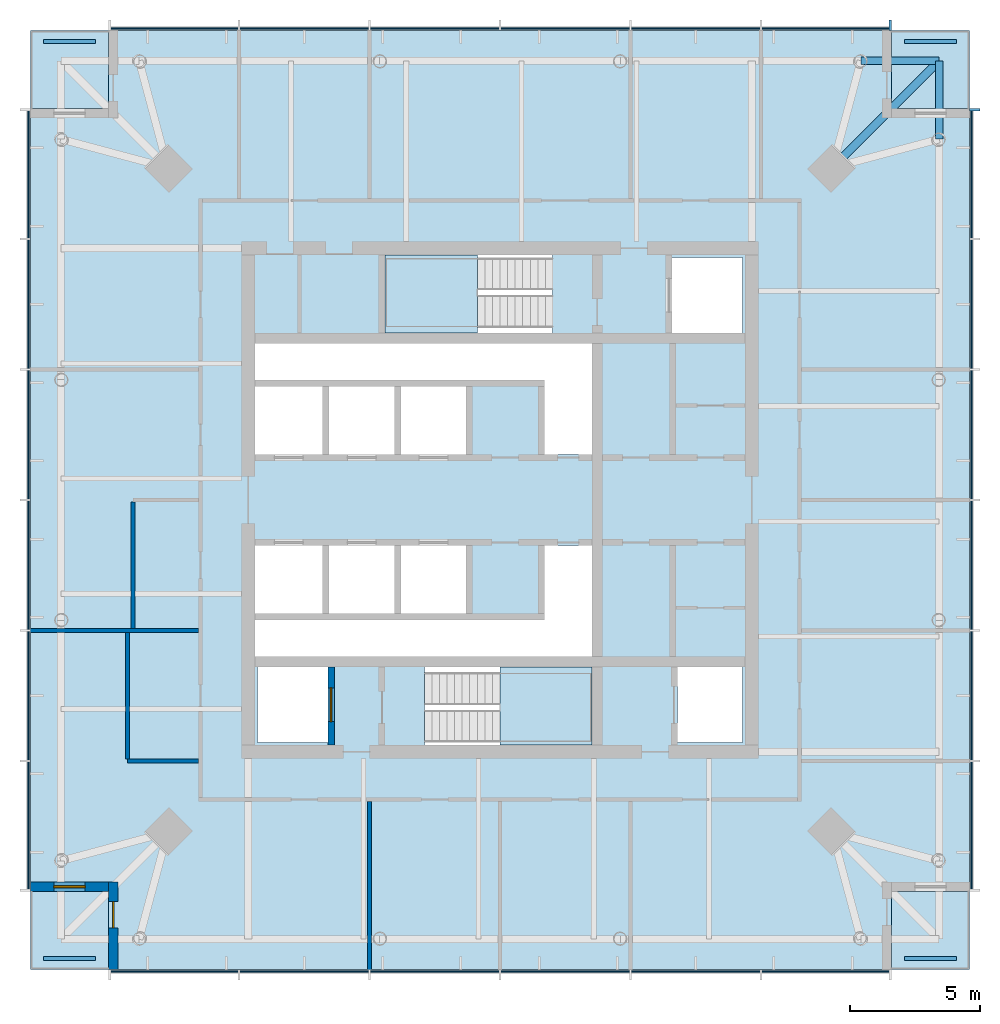
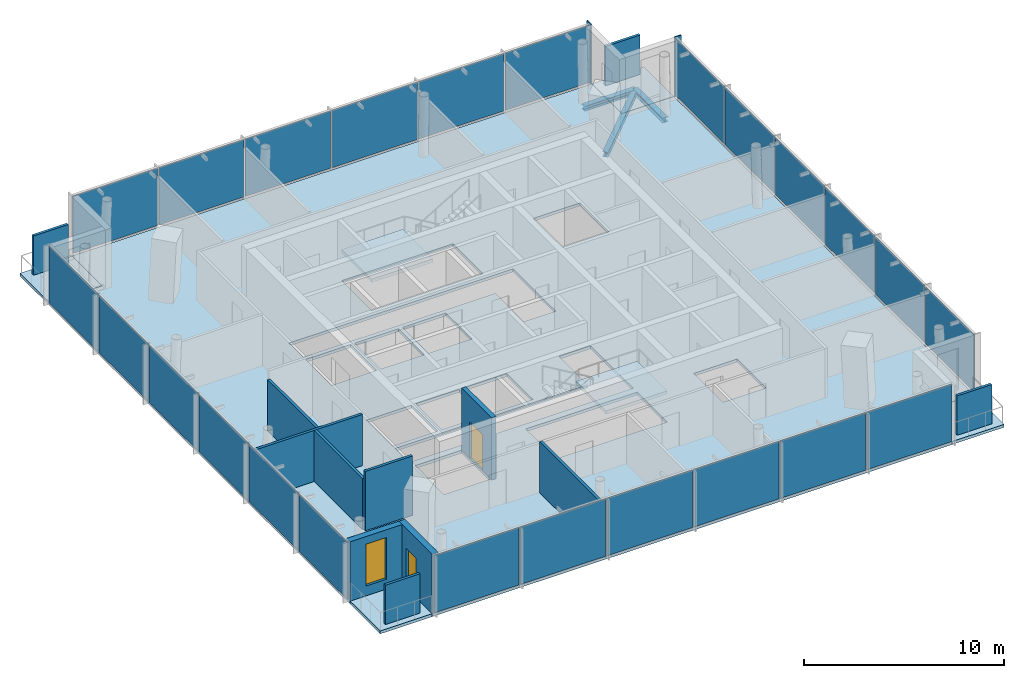
# One storey, part 3 of 7: 28 plates, 8 walls, 7 slabs, 3 beams, 2 doors, 2 members, 1 window, 3 openings, 6 elements without a shape of their own.
"""IFC4 building model written with IfcOpenShell, lengths in metres."""

from ifc_helpers import new_model, si_unit, direction, frame, frame_2d, origin, origin_2d, place, context, subcontext, project, spatial, polyline, rectangle, i_section, outline, extrude, material, layer, layer_set, material_profile, profile_set, type_object, element, fill, aggregate, save


model = new_model("IFC4")

# Units and contexts
model_context = context("Model", 3, precision=1e-05, world=origin(), true_north=direction((0.0, 1.0)))
body_context = subcontext(model_context, "Body", "Model", "MODEL_VIEW")
ifc_project = project(units=[si_unit("LENGTHUNIT", "METRE"), si_unit("AREAUNIT", "SQUARE_METRE"), si_unit("VOLUMEUNIT", "CUBIC_METRE"), si_unit("PLANEANGLEUNIT", "RADIAN"), si_unit("MASSUNIT", "GRAM", prefix="KILO")], contexts=[model_context])

# Site, building, storey
site_placement = place(None, origin())
site = spatial("IfcSite", under=ifc_project, at=site_placement, CompositionType="ELEMENT")
building_placement = place(site_placement, origin())
building = spatial("IfcBuilding", under=site, at=building_placement, Name="Ostroluk Exchange", CompositionType="ELEMENT")
storey_placement = place(building_placement, frame((0.0, 0.0, 245.199951171875)))
storey = spatial("IfcBuildingStorey", under=building, at=storey_placement, Name="L63", CompositionType="ELEMENT", Elevation=245.199951171875)

# Beams
ifc_material_1 = material(Name="Steel S355", Category="steel")
ifc_material_profile_1 = material_profile(ifc_material_1, i_section(OverallWidth=0.300048828125, OverallDepth=0.300048828125, WebThickness=0.010986328125, FlangeThickness=0.01904296875, FilletRadius=0.027099609375, at=origin_2d()), Name="HEB 300")
ifc_profile_set_1 = profile_set([ifc_material_profile_1], Name="Steel S355")
beam_type = type_object("IfcBeamType", Name="Balcony beam HEB 300", PredefinedType="BEAM", material=ifc_profile_set_1)
for number, where, z_axis, x_axis, name in (
    (1, (61.835693359375, 59.835693359375, -0.329833984375), (0.0, 1.0, 0.0), (-1.0, 0.0, 0.0), "T1 east balcony beam a"),
    (2, (58.835693359375, 62.835693359375, -0.329833984375), (1.0, 0.0, 0.0), (0.0, 1.0, 0.0), "T1 east balcony beam b"),
):
    element("IfcBeam", number, at=place(storey_placement, frame(where, z_axis=z_axis, x_axis=x_axis)), inside=storey, type_object=beam_type, Name=name, PredefinedType="BEAM", context=body_context, shape_type="SweptSolid", body=[
        extrude(i_section(OverallWidth=0.300048828125, OverallDepth=0.300048828125, WebThickness=0.010986328125, FlangeThickness=0.01904296875, FilletRadius=0.027099609375, at=origin_2d()), origin(), (0.0, 0.0, 1.0), 3.0),
    ])
beam_placement = place(storey_placement, frame((57.735595703125, 58.735595703125, -0.329833984375), z_axis=(0.707106781187, 0.707106781187, 0.0), x_axis=(-0.707106781187, 0.707106781187, 0.0)))
element("IfcBeam", 3, at=beam_placement, inside=storey, type_object=beam_type, Name="T1 east balcony beam c", PredefinedType="BEAM", context=body_context, shape_type="SweptSolid", body=[
    extrude(i_section(OverallWidth=0.300048828125, OverallDepth=0.300048828125, WebThickness=0.010986328125, FlangeThickness=0.01904296875, FilletRadius=0.027099609375, at=origin_2d()), origin(), (0.0, 0.0, 1.0), 5.79833984375),
])

# Curtain wall, member
ifc_material_2 = material(Name="Laminated clear glass", Category="glass")
curtain_wall_type = type_object("IfcCurtainWallType", Name="Office tower facade", PredefinedType="USERDEFINED", material=ifc_material_2)
curtain_wall_1_placement = place(storey_placement, origin())
curtain_wall_1 = element("IfcCurtainWall", 4, at=curtain_wall_1_placement, inside=storey, type_object=curtain_wall_type, Name="Office tower east facade L63", ObjectType="UNITISED CURTAIN WALL", PredefinedType="USERDEFINED")
ifc_material_3 = material(Name="Aluminium mullion with limestone facing", Category="masonry")
ifc_material_profile_2 = material_profile(ifc_material_3, rectangle(XDim=0.39990234375, YDim=0.080078125, at=origin_2d()), Name="Tracery mullion 80 x 400")
ifc_profile_set_2 = profile_set([ifc_material_profile_2], Name="Aluminium mullion with limestone facing")
member_type = type_object("IfcMemberType", Name="Tracery mullion 80 x 400", PredefinedType="MULLION", material=ifc_profile_set_2)
member_1_placement = place(storey_placement, frame((63.199951171875, 60.9599609375, 0.0), z_axis=(0.0, 0.0, 1.0), x_axis=(-1.0, 0.0, 0.0)))
member_1 = element("IfcMember", 5, at=member_1_placement, type_object=member_type, Name="CW-O1 mullion 7", PredefinedType="MULLION", context=body_context, shape_type="SweptSolid", body=[
    extrude(rectangle(XDim=0.39990234375, YDim=0.080078125, at=origin_2d()), origin(), (0.0, 0.0, 1.0), 3.650146484375),
])

curtain_wall_2_placement = place(storey_placement, origin())
curtain_wall_2 = element("IfcCurtainWall", 6, at=curtain_wall_2_placement, inside=storey, type_object=curtain_wall_type, Name="Office tower north facade L63", ObjectType="UNITISED CURTAIN WALL", PredefinedType="USERDEFINED")
member_2_placement = place(storey_placement, frame((59.9599609375, 64.199951171875, 0.0), z_axis=(0.0, 0.0, 1.0), x_axis=(0.0, -1.0, 0.0)))
member_2 = element("IfcMember", 7, at=member_2_placement, type_object=member_type, Name="CW-O1 mullion 1", PredefinedType="MULLION", context=body_context, shape_type="SweptSolid", body=[
    extrude(rectangle(XDim=0.39990234375, YDim=0.080078125, at=origin_2d()), origin(), (0.0, 0.0, 1.0), 3.650146484375),
])

# Slabs
ifc_material_4 = material(Name="Concrete C35/45", Category="concrete")
ifc_layer_1 = layer(ifc_material_4, 0.179931640625)
ifc_layer_set_1 = layer_set([ifc_layer_1], Name="Balcony slab 180")
slab_type_1 = type_object("IfcSlabType", Name="Balcony slab 180", PredefinedType="USERDEFINED", material=ifc_layer_set_1)
slab_1_placement = place(storey_placement, frame((0.0, 0.0, -0.179931640625)))
element("IfcSlab", 8, at=slab_1_placement, inside=storey, type_object=slab_type_1, Name="Office tower SE corner balcony L63", ObjectType="BALCONY", PredefinedType="USERDEFINED", context=body_context, shape_type="SweptSolid", body=[
    extrude(outline(polyline([(60.0, 28.0), (63.0, 28.0), (63.0, 31.0), (60.0, 31.0), (60.0, 28.0)])), origin(), (0.0, 0.0, 1.0), 0.179931640625),
])
slab_2_placement = place(storey_placement, frame((0.0, 0.0, -0.179931640625)))
element("IfcSlab", 9, at=slab_2_placement, inside=storey, type_object=slab_type_1, Name="Office tower NE corner balcony L63", ObjectType="BALCONY", PredefinedType="USERDEFINED", context=body_context, shape_type="SweptSolid", body=[
    extrude(outline(polyline([(60.0, 61.0), (63.0, 61.0), (63.0, 64.0), (60.0, 64.0), (60.0, 61.0)])), origin(), (0.0, 0.0, 1.0), 0.179931640625),
])
slab_3_placement = place(storey_placement, frame((0.0, 0.0, -0.179931640625)))
element("IfcSlab", 10, at=slab_3_placement, inside=storey, type_object=slab_type_1, Name="Office tower NW corner balcony L63", ObjectType="BALCONY", PredefinedType="USERDEFINED", context=body_context, shape_type="SweptSolid", body=[
    extrude(outline(polyline([(27.0, 61.0), (30.0, 61.0), (30.0, 64.0), (27.0, 64.0), (27.0, 61.0)])), origin(), (0.0, 0.0, 1.0), 0.179931640625),
])
slab_4_placement = place(storey_placement, frame((0.0, 0.0, -0.179931640625)))
element("IfcSlab", 11, at=slab_4_placement, inside=storey, type_object=slab_type_1, Name="Office tower SW corner balcony L63", ObjectType="BALCONY", PredefinedType="USERDEFINED", context=body_context, shape_type="SweptSolid", body=[
    extrude(outline(polyline([(27.0, 28.0), (30.0, 28.0), (30.0, 31.0), (27.0, 31.0), (27.0, 28.0)])), origin(), (0.0, 0.0, 1.0), 0.179931640625),
])

# Plates
ifc_material_5 = material(Name="Steel S355 trellis with planting", Category="steel")
ifc_layer_2 = layer(ifc_material_5, 0.14990234375)
ifc_layer_set_2 = layer_set([ifc_layer_2], Name="Planted screen 150")
plate_type_1 = type_object("IfcPlateType", Name="Planted screen 150", PredefinedType="USERDEFINED", material=ifc_layer_set_2)
for number, where, z_axis, x_axis, name in (
    (12, (61.5, 28.425048828125, 0.0), (0.0, 0.0, 1.0), (1.0, 0.0, 0.0), "Office tower SE planted screen L63"),
    (13, (61.5, 63.574951171875, 0.0), (0.0, 0.0, 1.0), (1.0, 0.0, 0.0), "Office tower NE planted screen L63"),
    (14, (28.5, 63.574951171875, 0.0), (0.0, 0.0, 1.0), (1.0, 0.0, 0.0), "Office tower NW planted screen L63"),
    (15, (28.5, 28.425048828125, 0.0), (0.0, 0.0, 1.0), (1.0, 0.0, 0.0), "Office tower SW planted screen L63"),
):
    element("IfcPlate", number, at=place(storey_placement, frame(where, z_axis=z_axis, x_axis=x_axis)), inside=storey, type_object=plate_type_1, Name=name, ObjectType="PLANTED SCREEN", PredefinedType="USERDEFINED", context=body_context, shape_type="SweptSolid", body=[
        extrude(rectangle(XDim=2.0, YDim=0.14990234375, at=origin_2d()), origin(), (0.0, 0.0, 1.0), 2.39990234375),
    ])

# Stair, slab
ifc_material_6 = material(Name="Concrete C30/37", Category="concrete")
stair_type = type_object("IfcStairType", Name="Exit stair half turn 3800", PredefinedType="HALF_TURN_STAIR", material=ifc_material_6)
stair_1_placement = place(storey_placement, origin())
stair_1 = element("IfcStair", 16, at=stair_1_placement, inside=storey, type_object=stair_type, Name="Stair T1-S1 L63", PredefinedType="HALF_TURN_STAIR")
ifc_material_7 = material(Name="Concrete C30/37", Category="concrete")
ifc_layer_3 = layer(ifc_material_7, 0.199951171875)
ifc_layer_set_3 = layer_set([ifc_layer_3], Name="Stair landing 200")
slab_type_2 = type_object("IfcSlabType", Name="Stair landing 200", PredefinedType="LANDING", material=ifc_layer_set_3)
slab_5_placement = place(storey_placement, frame((0.0, 0.0, 1.699951171875)))
slab_5 = element("IfcSlab", 17, at=slab_5_placement, type_object=slab_type_2, Name="T1-S1 landing 1", PredefinedType="LANDING", context=body_context, shape_type="SweptSolid", body=[
    extrude(outline(polyline([(45.0, 36.60009765625), (45.0, 39.60009765625), (48.530029296875, 39.60009765625), (48.530029296875, 36.60009765625), (45.0, 36.60009765625)])), origin(), (0.0, 0.0, 1.0), 0.2001953125),
])
aggregate(stair_1, [slab_5])

stair_2_placement = place(storey_placement, origin())
stair_2 = element("IfcStair", 18, at=stair_2_placement, inside=storey, type_object=stair_type, Name="Stair T1-S2 L63", PredefinedType="HALF_TURN_STAIR")
slab_6_placement = place(storey_placement, frame((0.0, 0.0, 1.699951171875)))
slab_6 = element("IfcSlab", 19, at=slab_6_placement, type_object=slab_type_2, Name="T1-S2 landing 1", PredefinedType="LANDING", context=body_context, shape_type="SweptSolid", body=[
    extrude(outline(polyline([(44.1298828125, 52.39990234375), (44.1298828125, 55.39990234375), (40.60009765625, 55.39990234375), (40.60009765625, 52.39990234375), (44.1298828125, 52.39990234375)])), origin(), (0.0, 0.0, 1.0), 0.2001953125),
])
aggregate(stair_2, [slab_6])

# Slab
ifc_material_8 = material(Name="Concrete C35/45", Category="concrete")
ifc_layer_4 = layer(ifc_material_8, 0.179931640625)
ifc_layer_set_4 = layer_set([ifc_layer_4], Name="Tower floor slab 180 composite")
slab_type_3 = type_object("IfcSlabType", Name="Tower floor slab 180 composite", PredefinedType="FLOOR", material=ifc_layer_set_4)
slab_7_placement = place(storey_placement, frame((0.0, 0.0, -0.179931640625)))
element("IfcSlab", 20, at=slab_7_placement, inside=storey, type_object=slab_type_3, Name="Office tower floor slab L63", PredefinedType="FLOOR", context=body_context, shape_type="SweptSolid", body=[
    extrude(outline(polyline([(30.0, 28.0), (60.0, 28.0), (60.0, 31.0), (63.0, 31.0), (63.0, 61.0), (60.0, 61.0), (60.0, 64.0), (30.0, 64.0), (30.0, 61.0), (27.0, 61.0), (27.0, 31.0), (30.0, 31.0), (30.0, 28.0)]), holes=[polyline([(35.699951171875, 36.699951171875), (38.39990234375, 36.699951171875), (38.39990234375, 39.60009765625), (35.699951171875, 39.60009765625), (35.699951171875, 36.699951171875)]), polyline([(42.110107421875, 36.60009765625), (48.530029296875, 36.60009765625), (48.530029296875, 39.60009765625), (42.110107421875, 39.60009765625), (42.110107421875, 36.60009765625)]), polyline([(51.800048828125, 36.699951171875), (54.300048828125, 36.699951171875), (54.300048828125, 39.60009765625), (51.800048828125, 39.60009765625), (51.800048828125, 36.699951171875)]), polyline([(40.60009765625, 52.39990234375), (47.02001953125, 52.39990234375), (47.02001953125, 55.39990234375), (40.60009765625, 55.39990234375), (40.60009765625, 52.39990234375)]), polyline([(51.60009765625, 52.39990234375), (54.300048828125, 52.39990234375), (54.300048828125, 55.300048828125), (51.60009765625, 55.300048828125), (51.60009765625, 52.39990234375)]), polyline([(35.60009765625, 47.75), (38.199951171875, 47.75), (38.199951171875, 50.35009765625), (35.60009765625, 50.35009765625), (35.60009765625, 47.75)]), polyline([(38.449951171875, 47.75), (40.949951171875, 47.75), (40.949951171875, 50.35009765625), (38.449951171875, 50.35009765625), (38.449951171875, 47.75)]), polyline([(41.199951171875, 47.75), (43.699951171875, 47.75), (43.699951171875, 50.35009765625), (41.199951171875, 50.35009765625), (41.199951171875, 47.75)]), polyline([(35.60009765625, 41.64990234375), (38.199951171875, 41.64990234375), (38.199951171875, 44.25), (35.60009765625, 44.25), (35.60009765625, 41.64990234375)]), polyline([(38.449951171875, 41.64990234375), (40.949951171875, 41.64990234375), (40.949951171875, 44.25), (38.449951171875, 44.25), (38.449951171875, 41.64990234375)]), polyline([(41.199951171875, 41.64990234375), (43.699951171875, 41.64990234375), (43.699951171875, 44.25), (41.199951171875, 44.25), (41.199951171875, 41.64990234375)]), polyline([(48.530029296875, 52.0), (48.530029296875, 47.75), (46.699951171875, 47.75), (46.699951171875, 50.60009765625), (35.60009765625, 50.60009765625), (35.60009765625, 52.0), (48.530029296875, 52.0)]), polyline([(35.60009765625, 40.0), (35.60009765625, 41.39990234375), (46.699951171875, 41.39990234375), (46.699951171875, 44.25), (48.530029296875, 44.25), (48.530029296875, 40.0), (35.60009765625, 40.0)])]), origin(), (0.0, 0.0, 1.0), 0.179931640625),
])

# Curtain wall, plates
curtain_wall_3_placement = place(storey_placement, origin())
curtain_wall_3 = element("IfcCurtainWall", 21, at=curtain_wall_3_placement, inside=storey, type_object=curtain_wall_type, Name="Office tower south facade L63", ObjectType="UNITISED CURTAIN WALL", PredefinedType="USERDEFINED")
ifc_material_9 = material(Name="Laminated clear glass", Category="glass")
ifc_layer_5 = layer(ifc_material_9, 0.0439453125)
ifc_layer_set_5 = layer_set([ifc_layer_5], Name="Triple laminated clear glazing 44")
plate_type_2 = type_object("IfcPlateType", Name="Triple laminated clear glazing 44", PredefinedType="CURTAIN_PANEL", material=ifc_layer_set_5)
plate_1_placement = place(storey_placement, frame((32.52001953125, 27.925048828125, 0.080078125), z_axis=(0.0, 0.0, 1.0), x_axis=(1.0, 0.0, 0.0)))
plate_1 = element("IfcPlate", 22, at=plate_1_placement, type_object=plate_type_2, Name="CW-O1 panel 1.1", PredefinedType="CURTAIN_PANEL", context=body_context, shape_type="SweptSolid", body=[
    extrude(rectangle(XDim=4.8798828125, YDim=0.0439453125, at=origin_2d()), origin(), (0.0, 0.0, 1.0), 3.489990234375),
])
plate_2_placement = place(storey_placement, frame((37.5, 27.925048828125, 0.080078125), z_axis=(0.0, 0.0, 1.0), x_axis=(1.0, 0.0, 0.0)))
plate_2 = element("IfcPlate", 23, at=plate_2_placement, type_object=plate_type_2, Name="CW-O1 panel 2.1", PredefinedType="CURTAIN_PANEL", context=body_context, shape_type="SweptSolid", body=[
    extrude(rectangle(XDim=4.919921875, YDim=0.0439453125, at=origin_2d()), origin(), (0.0, 0.0, 1.0), 3.489990234375),
])
plate_3_placement = place(storey_placement, frame((42.5, 27.925048828125, 0.080078125), z_axis=(0.0, 0.0, 1.0), x_axis=(1.0, 0.0, 0.0)))
plate_3 = element("IfcPlate", 24, at=plate_3_placement, type_object=plate_type_2, Name="CW-O1 panel 3.1", PredefinedType="CURTAIN_PANEL", context=body_context, shape_type="SweptSolid", body=[
    extrude(rectangle(XDim=4.919921875, YDim=0.0439453125, at=origin_2d()), origin(), (0.0, 0.0, 1.0), 3.489990234375),
])
plate_4_placement = place(storey_placement, frame((47.5, 27.925048828125, 0.080078125), z_axis=(0.0, 0.0, 1.0), x_axis=(1.0, 0.0, 0.0)))
plate_4 = element("IfcPlate", 25, at=plate_4_placement, type_object=plate_type_2, Name="CW-O1 panel 4.1", PredefinedType="CURTAIN_PANEL", context=body_context, shape_type="SweptSolid", body=[
    extrude(rectangle(XDim=4.919921875, YDim=0.0439453125, at=origin_2d()), origin(), (0.0, 0.0, 1.0), 3.489990234375),
])
plate_5_placement = place(storey_placement, frame((52.5, 27.925048828125, 0.080078125), z_axis=(0.0, 0.0, 1.0), x_axis=(1.0, 0.0, 0.0)))
plate_5 = element("IfcPlate", 26, at=plate_5_placement, type_object=plate_type_2, Name="CW-O1 panel 5.1", PredefinedType="CURTAIN_PANEL", context=body_context, shape_type="SweptSolid", body=[
    extrude(rectangle(XDim=4.919921875, YDim=0.0439453125, at=origin_2d()), origin(), (0.0, 0.0, 1.0), 3.489990234375),
])
plate_6_placement = place(storey_placement, frame((57.47998046875, 27.925048828125, 0.080078125), z_axis=(0.0, 0.0, 1.0), x_axis=(1.0, 0.0, 0.0)))
plate_6 = element("IfcPlate", 27, at=plate_6_placement, type_object=plate_type_2, Name="CW-O1 panel 6.1", PredefinedType="CURTAIN_PANEL", context=body_context, shape_type="SweptSolid", body=[
    extrude(rectangle(XDim=4.8798828125, YDim=0.0439453125, at=origin_2d()), origin(), (0.0, 0.0, 1.0), 3.489990234375),
])
aggregate(curtain_wall_3, [plate_1, plate_2, plate_3, plate_4, plate_5, plate_6])

# Plate
plate_7_placement = place(storey_placement, frame((63.074951171875, 33.52001953125, 0.080078125), z_axis=(0.0, 0.0, 1.0), x_axis=(0.0, 1.0, 0.0)))
plate_7 = element("IfcPlate", 28, at=plate_7_placement, type_object=plate_type_2, Name="CW-O1 panel 1.1", PredefinedType="CURTAIN_PANEL", context=body_context, shape_type="SweptSolid", body=[
    extrude(rectangle(XDim=4.8798828125, YDim=0.0439453125, at=origin_2d()), origin(), (0.0, 0.0, 1.0), 3.489990234375),
])

plate_8_placement = place(storey_placement, frame((63.074951171875, 38.5, 0.080078125), z_axis=(0.0, 0.0, 1.0), x_axis=(0.0, 1.0, 0.0)))
plate_8 = element("IfcPlate", 29, at=plate_8_placement, type_object=plate_type_2, Name="CW-O1 panel 2.1", PredefinedType="CURTAIN_PANEL", context=body_context, shape_type="SweptSolid", body=[
    extrude(rectangle(XDim=4.919921875, YDim=0.0439453125, at=origin_2d()), origin(), (0.0, 0.0, 1.0), 3.489990234375),
])

plate_9_placement = place(storey_placement, frame((63.074951171875, 43.5, 0.080078125), z_axis=(0.0, 0.0, 1.0), x_axis=(0.0, 1.0, 0.0)))
plate_9 = element("IfcPlate", 30, at=plate_9_placement, type_object=plate_type_2, Name="CW-O1 panel 3.1", PredefinedType="CURTAIN_PANEL", context=body_context, shape_type="SweptSolid", body=[
    extrude(rectangle(XDim=4.919921875, YDim=0.0439453125, at=origin_2d()), origin(), (0.0, 0.0, 1.0), 3.489990234375),
])

plate_10_placement = place(storey_placement, frame((63.074951171875, 48.5, 0.080078125), z_axis=(0.0, 0.0, 1.0), x_axis=(0.0, 1.0, 0.0)))
plate_10 = element("IfcPlate", 31, at=plate_10_placement, type_object=plate_type_2, Name="CW-O1 panel 4.1", PredefinedType="CURTAIN_PANEL", context=body_context, shape_type="SweptSolid", body=[
    extrude(rectangle(XDim=4.919921875, YDim=0.0439453125, at=origin_2d()), origin(), (0.0, 0.0, 1.0), 3.489990234375),
])

plate_11_placement = place(storey_placement, frame((63.074951171875, 53.5, 0.080078125), z_axis=(0.0, 0.0, 1.0), x_axis=(0.0, 1.0, 0.0)))
plate_11 = element("IfcPlate", 32, at=plate_11_placement, type_object=plate_type_2, Name="CW-O1 panel 5.1", PredefinedType="CURTAIN_PANEL", context=body_context, shape_type="SweptSolid", body=[
    extrude(rectangle(XDim=4.919921875, YDim=0.0439453125, at=origin_2d()), origin(), (0.0, 0.0, 1.0), 3.489990234375),
])

plate_12_placement = place(storey_placement, frame((63.074951171875, 58.47998046875, 0.080078125), z_axis=(0.0, 0.0, 1.0), x_axis=(0.0, 1.0, 0.0)))
plate_12 = element("IfcPlate", 33, at=plate_12_placement, type_object=plate_type_2, Name="CW-O1 panel 6.1", PredefinedType="CURTAIN_PANEL", context=body_context, shape_type="SweptSolid", body=[
    extrude(rectangle(XDim=4.8798828125, YDim=0.0439453125, at=origin_2d()), origin(), (0.0, 0.0, 1.0), 3.489990234375),
])

aggregate(curtain_wall_1, [member_1, plate_7, plate_8, plate_9, plate_10, plate_11, plate_12])

plate_13_placement = place(storey_placement, frame((57.47998046875, 64.074951171875, 0.080078125), z_axis=(0.0, 0.0, 1.0), x_axis=(-1.0, 0.0, 0.0)))
plate_13 = element("IfcPlate", 34, at=plate_13_placement, type_object=plate_type_2, Name="CW-O1 panel 1.1", PredefinedType="CURTAIN_PANEL", context=body_context, shape_type="SweptSolid", body=[
    extrude(rectangle(XDim=4.8798828125, YDim=0.0439453125, at=origin_2d()), origin(), (0.0, 0.0, 1.0), 3.489990234375),
])

plate_14_placement = place(storey_placement, frame((52.5, 64.074951171875, 0.080078125), z_axis=(0.0, 0.0, 1.0), x_axis=(-1.0, 0.0, 0.0)))
plate_14 = element("IfcPlate", 35, at=plate_14_placement, type_object=plate_type_2, Name="CW-O1 panel 2.1", PredefinedType="CURTAIN_PANEL", context=body_context, shape_type="SweptSolid", body=[
    extrude(rectangle(XDim=4.919921875, YDim=0.0439453125, at=origin_2d()), origin(), (0.0, 0.0, 1.0), 3.489990234375),
])

plate_15_placement = place(storey_placement, frame((47.5, 64.074951171875, 0.080078125), z_axis=(0.0, 0.0, 1.0), x_axis=(-1.0, 0.0, 0.0)))
plate_15 = element("IfcPlate", 36, at=plate_15_placement, type_object=plate_type_2, Name="CW-O1 panel 3.1", PredefinedType="CURTAIN_PANEL", context=body_context, shape_type="SweptSolid", body=[
    extrude(rectangle(XDim=4.919921875, YDim=0.0439453125, at=origin_2d()), origin(), (0.0, 0.0, 1.0), 3.489990234375),
])

plate_16_placement = place(storey_placement, frame((42.5, 64.074951171875, 0.080078125), z_axis=(0.0, 0.0, 1.0), x_axis=(-1.0, 0.0, 0.0)))
plate_16 = element("IfcPlate", 37, at=plate_16_placement, type_object=plate_type_2, Name="CW-O1 panel 4.1", PredefinedType="CURTAIN_PANEL", context=body_context, shape_type="SweptSolid", body=[
    extrude(rectangle(XDim=4.919921875, YDim=0.0439453125, at=origin_2d()), origin(), (0.0, 0.0, 1.0), 3.489990234375),
])

plate_17_placement = place(storey_placement, frame((37.5, 64.074951171875, 0.080078125), z_axis=(0.0, 0.0, 1.0), x_axis=(-1.0, 0.0, 0.0)))
plate_17 = element("IfcPlate", 38, at=plate_17_placement, type_object=plate_type_2, Name="CW-O1 panel 5.1", PredefinedType="CURTAIN_PANEL", context=body_context, shape_type="SweptSolid", body=[
    extrude(rectangle(XDim=4.919921875, YDim=0.0439453125, at=origin_2d()), origin(), (0.0, 0.0, 1.0), 3.489990234375),
])

plate_18_placement = place(storey_placement, frame((32.52001953125, 64.074951171875, 0.080078125), z_axis=(0.0, 0.0, 1.0), x_axis=(-1.0, 0.0, 0.0)))
plate_18 = element("IfcPlate", 39, at=plate_18_placement, type_object=plate_type_2, Name="CW-O1 panel 6.1", PredefinedType="CURTAIN_PANEL", context=body_context, shape_type="SweptSolid", body=[
    extrude(rectangle(XDim=4.8798828125, YDim=0.0439453125, at=origin_2d()), origin(), (0.0, 0.0, 1.0), 3.489990234375),
])

aggregate(curtain_wall_2, [member_2, plate_13, plate_14, plate_15, plate_16, plate_17, plate_18])

# Curtain wall, plates
curtain_wall_4_placement = place(storey_placement, origin())
curtain_wall_4 = element("IfcCurtainWall", 40, at=curtain_wall_4_placement, inside=storey, type_object=curtain_wall_type, Name="Office tower west facade L63", ObjectType="UNITISED CURTAIN WALL", PredefinedType="USERDEFINED")
plate_19_placement = place(storey_placement, frame((26.925048828125, 58.47998046875, 0.080078125), z_axis=(0.0, 0.0, 1.0), x_axis=(0.0, -1.0, 0.0)))
plate_19 = element("IfcPlate", 41, at=plate_19_placement, type_object=plate_type_2, Name="CW-O1 panel 1.1", PredefinedType="CURTAIN_PANEL", context=body_context, shape_type="SweptSolid", body=[
    extrude(rectangle(XDim=4.8798828125, YDim=0.0439453125, at=origin_2d()), origin(), (0.0, 0.0, 1.0), 3.489990234375),
])
plate_20_placement = place(storey_placement, frame((26.925048828125, 53.5, 0.080078125), z_axis=(0.0, 0.0, 1.0), x_axis=(0.0, -1.0, 0.0)))
plate_20 = element("IfcPlate", 42, at=plate_20_placement, type_object=plate_type_2, Name="CW-O1 panel 2.1", PredefinedType="CURTAIN_PANEL", context=body_context, shape_type="SweptSolid", body=[
    extrude(rectangle(XDim=4.919921875, YDim=0.0439453125, at=origin_2d()), origin(), (0.0, 0.0, 1.0), 3.489990234375),
])
plate_21_placement = place(storey_placement, frame((26.925048828125, 48.5, 0.080078125), z_axis=(0.0, 0.0, 1.0), x_axis=(0.0, -1.0, 0.0)))
plate_21 = element("IfcPlate", 43, at=plate_21_placement, type_object=plate_type_2, Name="CW-O1 panel 3.1", PredefinedType="CURTAIN_PANEL", context=body_context, shape_type="SweptSolid", body=[
    extrude(rectangle(XDim=4.919921875, YDim=0.0439453125, at=origin_2d()), origin(), (0.0, 0.0, 1.0), 3.489990234375),
])
plate_22_placement = place(storey_placement, frame((26.925048828125, 43.5, 0.080078125), z_axis=(0.0, 0.0, 1.0), x_axis=(0.0, -1.0, 0.0)))
plate_22 = element("IfcPlate", 44, at=plate_22_placement, type_object=plate_type_2, Name="CW-O1 panel 4.1", PredefinedType="CURTAIN_PANEL", context=body_context, shape_type="SweptSolid", body=[
    extrude(rectangle(XDim=4.919921875, YDim=0.0439453125, at=origin_2d()), origin(), (0.0, 0.0, 1.0), 3.489990234375),
])
plate_23_placement = place(storey_placement, frame((26.925048828125, 38.5, 0.080078125), z_axis=(0.0, 0.0, 1.0), x_axis=(0.0, -1.0, 0.0)))
plate_23 = element("IfcPlate", 45, at=plate_23_placement, type_object=plate_type_2, Name="CW-O1 panel 5.1", PredefinedType="CURTAIN_PANEL", context=body_context, shape_type="SweptSolid", body=[
    extrude(rectangle(XDim=4.919921875, YDim=0.0439453125, at=origin_2d()), origin(), (0.0, 0.0, 1.0), 3.489990234375),
])
plate_24_placement = place(storey_placement, frame((26.925048828125, 33.52001953125, 0.080078125), z_axis=(0.0, 0.0, 1.0), x_axis=(0.0, -1.0, 0.0)))
plate_24 = element("IfcPlate", 46, at=plate_24_placement, type_object=plate_type_2, Name="CW-O1 panel 6.1", PredefinedType="CURTAIN_PANEL", context=body_context, shape_type="SweptSolid", body=[
    extrude(rectangle(XDim=4.8798828125, YDim=0.0439453125, at=origin_2d()), origin(), (0.0, 0.0, 1.0), 3.489990234375),
])
aggregate(curtain_wall_4, [plate_19, plate_20, plate_21, plate_22, plate_23, plate_24])

# Wall, opening, door
ifc_material_10 = material(Name="Concrete C40/50", Category="concrete")
ifc_layer_6 = layer(ifc_material_10, 0.25)
ifc_layer_set_6 = layer_set([ifc_layer_6], Name="Core shaft wall 250")
wall_type_1 = type_object("IfcWallType", Name="Core shaft wall 250", PredefinedType="SHEAR", material=ifc_layer_set_6)
wall_1_placement = place(storey_placement, frame((38.52490234375, 36.60009765625, 0.0), z_axis=(0.0, 0.0, 1.0), x_axis=(0.0, 1.0, 0.0)))
wall_1 = element("IfcWall", 47, at=wall_1_placement, inside=storey, type_object=wall_type_1, Name="Firefighting lift shaft wall", PredefinedType="SHEAR", context=body_context, shape_type="SweptSolid", body=[
    extrude(rectangle(XDim=3.0, YDim=0.25, at=frame_2d((1.5, 0.0))), origin(), (0.0, 0.0, 1.0), 3.800048828125),
])
opening_1_placement = place(wall_1_placement, frame((0.89990234375, 0.0, 0.0)))
opening_1 = element("IfcOpeningElement", 48, at=opening_1_placement, cuts=wall_1, Name="Opening LD2", PredefinedType="OPENING", context=body_context, shape_type="SweptSolid", body=[
    extrude(rectangle(XDim=1.300048828125, YDim=2.199951171875, at=frame_2d((0.64990234375, 1.10009765625))), frame((0.0, 0.135009765625, 0.0), z_axis=(0.0, -1.0, 0.0), x_axis=(1.0, 0.0, 0.0)), (0.0, 0.0, 1.0), 0.27001953125),
])
ifc_material_11 = material(Name="Stainless steel", Category="steel")
door_type_1 = type_object("IfcDoorType", Name="Lift landing door E 60 1300 x 2200", OperationType="DOUBLE_DOOR_SLIDING", PredefinedType="DOOR", material=ifc_material_11)
door_1_placement = place(opening_1_placement, origin())
door_1 = element("IfcDoor", 49, at=door_1_placement, inside=storey, type_object=door_type_1, Name="Lift FL1 landing door", OperationType="DOUBLE_DOOR_SLIDING", OverallHeight=2.199951171875, OverallWidth=1.300048828125, PredefinedType="DOOR", context=body_context, shape_type="SweptSolid", body=[
    extrude(rectangle(XDim=1.300048828125, YDim=2.199951171875, at=frame_2d((0.64990234375, 1.10009765625))), frame((0.0, 0.02490234375, 0.0), z_axis=(0.0, -1.0, 0.0), x_axis=(1.0, 0.0, 0.0)), (0.0, 0.0, 1.0), 0.050048828125),
])
fill(opening_1, door_1)

ifc_material_12 = material(Name="Limestone", Category="masonry")
ifc_layer_7 = layer(ifc_material_12, 0.35009765625)
ifc_layer_set_7 = layer_set([ifc_layer_7], Name="Limestone facade wall 350")
wall_type_2 = type_object("IfcWallType", Name="Limestone facade wall 350", PredefinedType="SOLIDWALL", material=ifc_layer_set_7)
wall_2_placement = place(storey_placement, frame((30.175048828125, 28.0, 0.0), z_axis=(0.0, 0.0, 1.0), x_axis=(0.0, 1.0, 0.0)))
wall_2 = element("IfcWall", 50, at=wall_2_placement, inside=storey, type_object=wall_type_2, Name="Office tower SW corner wall L63 a", PredefinedType="SOLIDWALL", context=body_context, shape_type="SweptSolid", body=[
    extrude(rectangle(XDim=3.35009765625, YDim=0.35009765625, at=frame_2d((1.675048828125, 0.0))), origin(), (0.0, 0.0, 1.0), 3.6201171875),
])
opening_2_placement = place(wall_2_placement, frame((1.60009765625, 0.0, 0.0)))
opening_2 = element("IfcOpeningElement", 51, at=opening_2_placement, cuts=wall_2, Name="Opening D-B1", PredefinedType="OPENING", context=body_context, shape_type="SweptSolid", body=[
    extrude(rectangle(XDim=1.0, YDim=2.39990234375, at=frame_2d((0.5, 1.199951171875))), frame((0.0, 0.18505859375, 0.0), z_axis=(0.0, -1.0, 0.0), x_axis=(1.0, 0.0, 0.0)), (0.0, 0.0, 1.0), 0.3701171875),
])
ifc_material_13 = material(Name="Bronze framed glazed door", Category="aluminium")
door_type_2 = type_object("IfcDoorType", Name="Balcony door 1000 x 2400", OperationType="SINGLE_SWING_LEFT", PredefinedType="DOOR", material=ifc_material_13)
door_2_placement = place(opening_2_placement, origin())
door_2 = element("IfcDoor", 52, at=door_2_placement, inside=storey, type_object=door_type_2, Name="Office tower SW balcony door L63", OperationType="SINGLE_SWING_RIGHT", OverallHeight=2.39990234375, OverallWidth=1.0, PredefinedType="DOOR", context=body_context, shape_type="SweptSolid", body=[
    extrude(rectangle(XDim=1.0, YDim=2.39990234375, at=frame_2d((0.5, 1.199951171875))), frame((0.0, 0.02490234375, 0.0), z_axis=(0.0, -1.0, 0.0), x_axis=(1.0, 0.0, 0.0)), (0.0, 0.0, 1.0), 0.050048828125),
])
fill(opening_2, door_2)

# Wall, opening, window
wall_3_placement = place(storey_placement, frame((30.0, 31.175048828125, 0.0), z_axis=(0.0, 0.0, 1.0), x_axis=(-1.0, 0.0, 0.0)))
wall_3 = element("IfcWall", 53, at=wall_3_placement, inside=storey, type_object=wall_type_2, Name="Office tower SW corner wall L63 b", PredefinedType="SOLIDWALL", context=body_context, shape_type="SweptSolid", body=[
    extrude(rectangle(XDim=3.0, YDim=0.35009765625, at=frame_2d((1.5, 0.0))), origin(), (0.0, 0.0, 1.0), 3.6201171875),
])
opening_3_placement = place(wall_3_placement, frame((0.89990234375, 0.0, 0.60009765625)))
opening_3 = element("IfcOpeningElement", 54, at=opening_3_placement, cuts=wall_3, Name="Opening WN-L1", PredefinedType="OPENING", context=body_context, shape_type="SweptSolid", body=[
    extrude(rectangle(XDim=1.199951171875, YDim=2.550048828125, at=frame_2d((0.60009765625, 1.27490234375))), frame((0.0, 0.18505859375, 0.0), z_axis=(0.0, -1.0, 0.0), x_axis=(1.0, 0.0, 0.0)), (0.0, 0.0, 1.0), 0.3701171875),
])
ifc_material_14 = material(Name="Laminated clear glass", Category="glass")
window_type = type_object("IfcWindowType", Name="Lancet window 1200 x 2550", PartitioningType="SINGLE_PANEL", PredefinedType="WINDOW", material=ifc_material_14)
window_placement = place(opening_3_placement, origin())
window = element("IfcWindow", 55, at=window_placement, inside=storey, type_object=window_type, Name="Office tower SW lancet window L63", OverallHeight=2.550048828125, OverallWidth=1.199951171875, PartitioningType="SINGLE_PANEL", PredefinedType="WINDOW", context=body_context, shape_type="SweptSolid", body=[
    extrude(rectangle(XDim=1.199951171875, YDim=2.550048828125, at=frame_2d((0.60009765625, 1.27490234375))), frame((0.0, 0.030029296875, 0.0), z_axis=(0.0, -1.0, 0.0), x_axis=(1.0, 0.0, 0.0)), (0.0, 0.0, 1.0), 0.06005859375),
])
fill(opening_3, window)

# Walls
ifc_material_15 = material(Name="Gypsum plasterboard partition", Category="gypsum")
ifc_layer_8 = layer(ifc_material_15, 0.14990234375)
ifc_layer_set_8 = layer_set([ifc_layer_8], Name="Plasterboard partition 150")
wall_type_3 = type_object("IfcWallType", Name="Plasterboard partition 150", PredefinedType="PARTITIONING", material=ifc_layer_set_8)
wall_4_placement = place(storey_placement, frame((33.449951171875, 41.0, 0.0), z_axis=(0.0, 0.0, 1.0), x_axis=(-1.0, 0.0, 0.0)))
element("IfcWall", 56, at=wall_4_placement, inside=storey, type_object=wall_type_3, Name="Partition", PredefinedType="PARTITIONING", context=body_context, shape_type="SweptSolid", body=[
    extrude(rectangle(XDim=6.489990234375, YDim=0.14990234375, at=frame_2d((3.2451171875, 0.0))), origin(), (0.0, 0.0, 1.0), 3.1201171875),
])
wall_5_placement = place(storey_placement, frame((33.449951171875, 36.0, 0.0), z_axis=(0.0, 0.0, 1.0), x_axis=(-1.0, 0.0, 0.0)))
element("IfcWall", 57, at=wall_5_placement, inside=storey, type_object=wall_type_3, Name="Partition", PredefinedType="PARTITIONING", context=body_context, shape_type="SweptSolid", body=[
    extrude(rectangle(XDim=2.724853515625, YDim=0.14990234375, at=frame_2d((1.3623046875, 0.0))), origin(), (0.0, 0.0, 1.0), 3.6201171875),
])
wall_6_placement = place(storey_placement, frame((40.0, 34.449951171875, 0.0), z_axis=(0.0, 0.0, 1.0), x_axis=(0.0, -1.0, 0.0)))
element("IfcWall", 58, at=wall_6_placement, inside=storey, type_object=wall_type_3, Name="Partition", PredefinedType="PARTITIONING", context=body_context, shape_type="SweptSolid", body=[
    extrude(rectangle(XDim=6.489990234375, YDim=0.14990234375, at=frame_2d((3.2451171875, 0.0))), origin(), (0.0, 0.0, 1.0), 3.1201171875),
])
ifc_material_16 = material(Name="Gypsum plasterboard partition, moisture resistant", Category="gypsum")
ifc_layer_9 = layer(ifc_material_16, 0.14990234375)
ifc_layer_set_9 = layer_set([ifc_layer_9], Name="Plasterboard toilet partition 150")
wall_type_4 = type_object("IfcWallType", Name="Plasterboard toilet partition 150", PredefinedType="PARTITIONING", material=ifc_layer_set_9)
for number, where, z_axis, x_axis, name in (
    (59, (30.925048828125, 45.925048828125, 0.0), (0.0, 0.0, 1.0), (0.0, -1.0, 0.0), "Toilet partition"),
    (60, (30.72509765625, 40.925048828125, 0.0), (0.0, 0.0, 1.0), (0.0, -1.0, 0.0), "Toilet partition"),
):
    element("IfcWall", number, at=place(storey_placement, frame(where, z_axis=z_axis, x_axis=x_axis)), inside=storey, type_object=wall_type_4, Name=name, PredefinedType="PARTITIONING", context=body_context, shape_type="SweptSolid", body=[
        extrude(rectangle(XDim=4.85009765625, YDim=0.14990234375, at=frame_2d((2.425048828125, 0.0))), origin(), (0.0, 0.0, 1.0), 3.1201171875),
    ])

save(model, "model.ifc")
